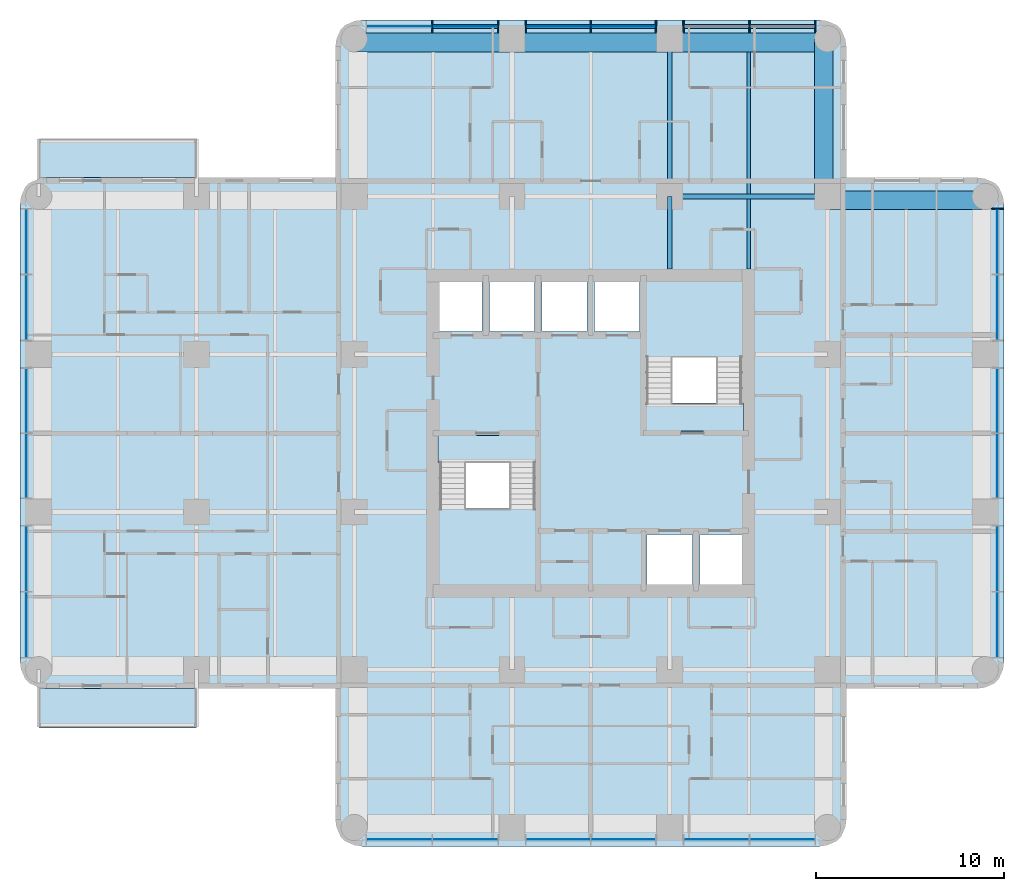
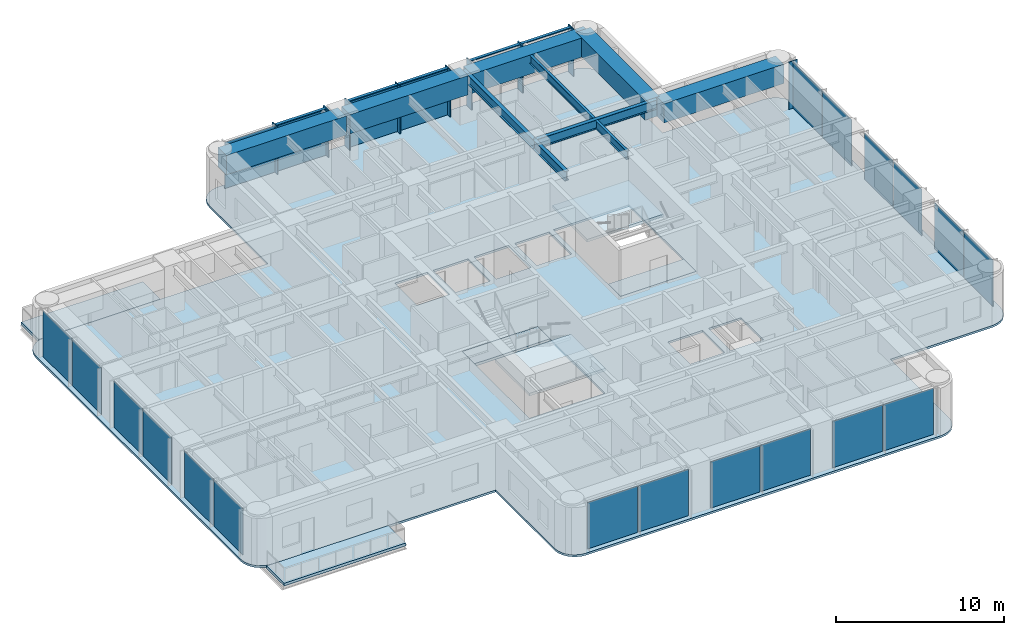
# One storey, part 3 of 12: 22 plates, 14 members, 10 beams, 7 slabs, 6 elements without a shape of their own.
"""IFC4 building model written with IfcOpenShell, lengths in metres."""

from ifc_helpers import new_model, si_unit, direction, frame, origin, origin_2d, place, context, subcontext, project, spatial, polyline, rectangle, i_section, outline, extrude, material, layer, layer_set, material_profile, profile_set, type_object, element, aggregate, save


model = new_model("IFC4")

# Units and contexts
model_context = context("Model", 3, precision=1e-05, world=origin(), true_north=direction((0.0, 1.0)))
body_context = subcontext(model_context, "Body", "Model", "MODEL_VIEW")
ifc_project = project(units=[si_unit("LENGTHUNIT", "METRE"), si_unit("AREAUNIT", "SQUARE_METRE"), si_unit("VOLUMEUNIT", "CUBIC_METRE"), si_unit("PLANEANGLEUNIT", "RADIAN"), si_unit("MASSUNIT", "GRAM", prefix="KILO")], contexts=[model_context])

# Site, building, storey
site_placement = place(None, origin())
site = spatial("IfcSite", under=ifc_project, at=site_placement, CompositionType="ELEMENT")
building_placement = place(site_placement, origin())
building = spatial("IfcBuilding", under=site, at=building_placement, Name="Torre Alcanfor", CompositionType="ELEMENT")
storey_placement = place(building_placement, frame((0.0, 0.0, 226.5)))
storey = spatial("IfcBuildingStorey", under=building, at=storey_placement, Name="L59", CompositionType="ELEMENT", Elevation=226.5)

# Curtain wall, member
ifc_material_1 = material(Name="Aluminium and glass", Category="aluminium")
curtain_wall_type = type_object("IfcCurtainWallType", Name="CW-A unitised apartment glazing with vertical FIN", PredefinedType="NOTDEFINED", material=ifc_material_1)
curtain_wall_1_placement = place(storey_placement, origin())
curtain_wall_1 = element("IfcCurtainWall", 1, at=curtain_wall_1_placement, inside=storey, type_object=curtain_wall_type, Name="Curtain wall CW-A L59 8", PredefinedType="NOTDEFINED")
ifc_material_2 = material(Name="Bronze anodised aluminium", Category="aluminium")
ifc_material_profile_1 = material_profile(ifc_material_2, rectangle(XDim=0.60009765625, YDim=0.06494140625, at=origin_2d()), Name="CW-A mullion 65x600")
ifc_profile_set_1 = profile_set([ifc_material_profile_1], Name="Bronze anodised aluminium")
member_type_1 = type_object("IfcMemberType", Name="CW-A mullion with vertical FIN 65x600", PredefinedType="MULLION", material=ifc_profile_set_1)
member_1_placement = place(storey_placement, frame((51.050048828125, 41.35546875, 0.0), z_axis=(0.0, 0.0, 1.0), x_axis=(-1.0, 0.0, 0.0)))
member_1 = element("IfcMember", 2, at=member_1_placement, type_object=member_type_1, Name="CW-A mullion 3.3", PredefinedType="MULLION", context=body_context, shape_type="SweptSolid", body=[
    extrude(rectangle(XDim=0.60009765625, YDim=0.06494140625, at=origin_2d()), origin(), (0.0, 0.0, 1.0), 3.449951171875),
])

# Curtain wall, members
curtain_wall_2_placement = place(storey_placement, origin())
curtain_wall_2 = element("IfcCurtainWall", 3, at=curtain_wall_2_placement, inside=storey, type_object=curtain_wall_type, Name="Curtain wall CW-A L59 11", PredefinedType="NOTDEFINED")
member_2_placement = place(storey_placement, frame((41.35546875, 51.050048828125, 0.0), z_axis=(0.0, 0.0, 1.0), x_axis=(0.0, -1.0, 0.0)))
member_2 = element("IfcMember", 4, at=member_2_placement, type_object=member_type_1, Name="CW-A mullion 1.1", PredefinedType="MULLION", context=body_context, shape_type="SweptSolid", body=[
    extrude(rectangle(XDim=0.60009765625, YDim=0.06494140625, at=origin_2d()), origin(), (0.0, 0.0, 1.0), 3.449951171875),
])
member_3_placement = place(storey_placement, frame((37.846435546875, 51.050048828125, 0.0), z_axis=(0.0, 0.0, 1.0), x_axis=(0.0, -1.0, 0.0)))
member_3 = element("IfcMember", 5, at=member_3_placement, type_object=member_type_1, Name="CW-A mullion 1.2", PredefinedType="MULLION", context=body_context, shape_type="SweptSolid", body=[
    extrude(rectangle(XDim=0.60009765625, YDim=0.06494140625, at=origin_2d()), origin(), (0.0, 0.0, 1.0), 3.449951171875),
])
member_4_placement = place(storey_placement, frame((34.33740234375, 51.050048828125, 0.0), z_axis=(0.0, 0.0, 1.0), x_axis=(0.0, -1.0, 0.0)))
member_4 = element("IfcMember", 6, at=member_4_placement, type_object=member_type_1, Name="CW-A mullion 1.3", PredefinedType="MULLION", context=body_context, shape_type="SweptSolid", body=[
    extrude(rectangle(XDim=0.60009765625, YDim=0.06494140625, at=origin_2d()), origin(), (0.0, 0.0, 1.0), 3.449951171875),
])
member_5_placement = place(storey_placement, frame((32.862548828125, 51.050048828125, 0.0), z_axis=(0.0, 0.0, 1.0), x_axis=(0.0, -1.0, 0.0)))
member_5 = element("IfcMember", 7, at=member_5_placement, type_object=member_type_1, Name="CW-A mullion 2.1", PredefinedType="MULLION", context=body_context, shape_type="SweptSolid", body=[
    extrude(rectangle(XDim=0.60009765625, YDim=0.06494140625, at=origin_2d()), origin(), (0.0, 0.0, 1.0), 3.449951171875),
])
member_6_placement = place(storey_placement, frame((29.39990234375, 51.050048828125, 0.0), z_axis=(0.0, 0.0, 1.0), x_axis=(0.0, -1.0, 0.0)))
member_6 = element("IfcMember", 8, at=member_6_placement, type_object=member_type_1, Name="CW-A mullion 2.2", PredefinedType="MULLION", context=body_context, shape_type="SweptSolid", body=[
    extrude(rectangle(XDim=0.60009765625, YDim=0.06494140625, at=origin_2d()), origin(), (0.0, 0.0, 1.0), 3.449951171875),
])
member_7_placement = place(storey_placement, frame((25.9375, 51.050048828125, 0.0), z_axis=(0.0, 0.0, 1.0), x_axis=(0.0, -1.0, 0.0)))
member_7 = element("IfcMember", 9, at=member_7_placement, type_object=member_type_1, Name="CW-A mullion 2.3", PredefinedType="MULLION", context=body_context, shape_type="SweptSolid", body=[
    extrude(rectangle(XDim=0.60009765625, YDim=0.06494140625, at=origin_2d()), origin(), (0.0, 0.0, 1.0), 3.449951171875),
])
member_8_placement = place(storey_placement, frame((24.46240234375, 51.050048828125, 0.0), z_axis=(0.0, 0.0, 1.0), x_axis=(0.0, -1.0, 0.0)))
member_8 = element("IfcMember", 10, at=member_8_placement, type_object=member_type_1, Name="CW-A mullion 3.1", PredefinedType="MULLION", context=body_context, shape_type="SweptSolid", body=[
    extrude(rectangle(XDim=0.60009765625, YDim=0.06494140625, at=origin_2d()), origin(), (0.0, 0.0, 1.0), 3.449951171875),
])
member_9_placement = place(storey_placement, frame((20.95361328125, 51.050048828125, 0.0), z_axis=(0.0, 0.0, 1.0), x_axis=(0.0, -1.0, 0.0)))
member_9 = element("IfcMember", 11, at=member_9_placement, type_object=member_type_1, Name="CW-A mullion 3.2", PredefinedType="MULLION", context=body_context, shape_type="SweptSolid", body=[
    extrude(rectangle(XDim=0.60009765625, YDim=0.06494140625, at=origin_2d()), origin(), (0.0, 0.0, 1.0), 3.449951171875),
])
ifc_material_3 = material(Name="Extruded aluminium", Category="aluminium")
ifc_material_profile_2 = material_profile(ifc_material_3, rectangle(XDim=0.199951171875, YDim=0.06494140625, at=origin_2d()), Name="CW-A transom 200x65")
ifc_profile_set_2 = profile_set([ifc_material_profile_2], Name="Extruded aluminium")
member_type_2 = type_object("IfcMemberType", Name="CW-A transom 65x200", PredefinedType="USERDEFINED", material=ifc_profile_set_2)
member_10_placement = place(storey_placement, frame((41.322998046875, 51.050048828125, 3.41748046875), z_axis=(-1.0, 0.0, 0.0), x_axis=(0.0, -1.0, 0.0)))
member_10 = element("IfcMember", 12, at=member_10_placement, type_object=member_type_2, Name="CW-A transom 1.1.2", ObjectType="TRANSOM", PredefinedType="USERDEFINED", context=body_context, shape_type="SweptSolid", body=[
    extrude(rectangle(XDim=0.199951171875, YDim=0.06494140625, at=origin_2d()), origin(), (0.0, 0.0, 1.0), 3.444091796875),
])
member_11_placement = place(storey_placement, frame((37.81396484375, 51.050048828125, 3.41748046875), z_axis=(-1.0, 0.0, 0.0), x_axis=(0.0, -1.0, 0.0)))
member_11 = element("IfcMember", 13, at=member_11_placement, type_object=member_type_2, Name="CW-A transom 1.2.2", ObjectType="TRANSOM", PredefinedType="USERDEFINED", context=body_context, shape_type="SweptSolid", body=[
    extrude(rectangle(XDim=0.199951171875, YDim=0.06494140625, at=origin_2d()), origin(), (0.0, 0.0, 1.0), 3.44384765625),
])
member_12_placement = place(storey_placement, frame((32.830078125, 51.050048828125, 3.41748046875), z_axis=(-1.0, 0.0, 0.0), x_axis=(0.0, -1.0, 0.0)))
member_12 = element("IfcMember", 14, at=member_12_placement, type_object=member_type_2, Name="CW-A transom 2.1.2", ObjectType="TRANSOM", PredefinedType="USERDEFINED", context=body_context, shape_type="SweptSolid", body=[
    extrude(rectangle(XDim=0.199951171875, YDim=0.06494140625, at=origin_2d()), origin(), (0.0, 0.0, 1.0), 3.3974609375),
])
member_13_placement = place(storey_placement, frame((29.367431640625, 51.050048828125, 3.41748046875), z_axis=(-1.0, 0.0, 0.0), x_axis=(0.0, -1.0, 0.0)))
member_13 = element("IfcMember", 15, at=member_13_placement, type_object=member_type_2, Name="CW-A transom 2.2.2", ObjectType="TRANSOM", PredefinedType="USERDEFINED", context=body_context, shape_type="SweptSolid", body=[
    extrude(rectangle(XDim=0.199951171875, YDim=0.06494140625, at=origin_2d()), origin(), (0.0, 0.0, 1.0), 3.3974609375),
])
member_14_placement = place(storey_placement, frame((24.429931640625, 51.050048828125, 3.41748046875), z_axis=(-1.0, 0.0, 0.0), x_axis=(0.0, -1.0, 0.0)))
member_14 = element("IfcMember", 16, at=member_14_placement, type_object=member_type_2, Name="CW-A transom 3.1.2", ObjectType="TRANSOM", PredefinedType="USERDEFINED", context=body_context, shape_type="SweptSolid", body=[
    extrude(rectangle(XDim=0.199951171875, YDim=0.06494140625, at=origin_2d()), origin(), (0.0, 0.0, 1.0), 3.44384765625),
])

# Beams
ifc_material_4 = material(Name="Steel ASTM A992 Grade 50", Category="steel")
ifc_material_profile_3 = material_profile(ifc_material_4, i_section(OverallWidth=0.25390625, OverallDepth=0.683349609375, WebThickness=0.012451171875, FlangeThickness=0.01904296875, at=origin_2d()), Name="W27x94")
ifc_profile_set_3 = profile_set([ifc_material_profile_3], Name="Steel ASTM A992 Grade 50")
beam_type_1 = type_object("IfcBeamType", Name="Girder W27x94", PredefinedType="BEAM", material=ifc_profile_set_3)
for number, where, z_axis, x_axis, name in (
    (17, (33.60009765625, 42.0, 3.1083984375), (1.0, 0.0, 0.0), (0.0, 1.0, 0.0), "Beam 5H-6H under L60"),
    (18, (33.60009765625, 42.0, 3.1083984375), (0.0, 1.0, 0.0), (-1.0, 0.0, 0.0), "Beam 5H-5J under L60"),
):
    element("IfcBeam", number, at=place(storey_placement, frame(where, z_axis=z_axis, x_axis=x_axis)), inside=storey, type_object=beam_type_1, Name=name, PredefinedType="BEAM", context=body_context, shape_type="SweptSolid", body=[
        extrude(i_section(OverallWidth=0.25390625, OverallDepth=0.683349609375, WebThickness=0.012451171875, FlangeThickness=0.01904296875, at=origin_2d()), origin(), (0.0, 0.0, 1.0), 8.39990234375),
    ])
ifc_material_5 = material(Name="Steel ASTM A992 Grade 50", Category="steel")
ifc_material_profile_4 = material_profile(ifc_material_5, i_section(OverallWidth=0.25390625, OverallDepth=0.683349609375, WebThickness=0.012451171875, FlangeThickness=0.01904296875, at=origin_2d()), Name="W27x94")
ifc_profile_set_4 = profile_set([ifc_material_profile_4], Name="Steel ASTM A992 Grade 50")
beam_type_2 = type_object("IfcBeamType", Name="Girder, part bay W27x94", PredefinedType="BEAM", material=ifc_profile_set_4)
beam_1_placement = place(storey_placement, frame((33.60009765625, 42.0, 3.1083984375), z_axis=(0.0, -1.0, 0.0), x_axis=(1.0, 0.0, 0.0)))
element("IfcBeam", 19, at=beam_1_placement, inside=storey, type_object=beam_type_2, Name="Beam 5H-538_15 under L60", PredefinedType="BEAM", context=body_context, shape_type="SweptSolid", body=[
    extrude(i_section(OverallWidth=0.25390625, OverallDepth=0.683349609375, WebThickness=0.012451171875, FlangeThickness=0.01904296875, at=origin_2d()), origin(), (0.0, 0.0, 1.0), 3.85009765625),
])
ifc_material_6 = material(Name="Concrete f'c 70 MPa", Category="concrete")
ifc_material_profile_5 = material_profile(ifc_material_6, rectangle(XDim=1.0, YDim=1.39990234375, at=origin_2d()), Name="1000x1400")
ifc_profile_set_5 = profile_set([ifc_material_profile_5], Name="Concrete f'c 70 MPa")
beam_type_3 = type_object("IfcBeamType", Name="RC perimeter beam 1000x1400", PredefinedType="BEAM", material=ifc_profile_set_5)
for number, where, z_axis, x_axis, name in (
    (20, (42.126953125, 41.800048828125, 2.75), (1.0, 0.0, 0.0), (0.0, 1.0, 0.0), "Beam 6H-7H under L60"),
    (21, (16.800048828125, 50.199951171875, 2.75), (1.0, 0.0, 0.0), (0.0, 1.0, 0.0), "Beam 3J-4J under L60"),
):
    element("IfcBeam", number, at=place(storey_placement, frame(where, z_axis=z_axis, x_axis=x_axis)), inside=storey, type_object=beam_type_3, Name=name, PredefinedType="BEAM", context=body_context, shape_type="SweptSolid", body=[
        extrude(rectangle(XDim=1.0, YDim=1.39990234375, at=origin_2d()), origin(), (0.0, 0.0, 1.0), 8.27294921875),
    ])
beam_2_placement = place(storey_placement, frame((25.326904296875, 50.199951171875, 2.75), z_axis=(1.0, 0.0, 0.0), x_axis=(0.0, 1.0, 0.0)))
element("IfcBeam", 22, at=beam_2_placement, inside=storey, type_object=beam_type_3, Name="Beam 4J-5J under L60", PredefinedType="BEAM", context=body_context, shape_type="SweptSolid", body=[
    extrude(rectangle(XDim=1.0, YDim=1.39990234375, at=origin_2d()), origin(), (0.0, 0.0, 1.0), 8.14599609375),
])
for number, where, z_axis, x_axis, name in (
    (23, (33.72705078125, 50.199951171875, 2.75), (1.0, 0.0, 0.0), (0.0, 1.0, 0.0), "Beam 5J-6J under L60"),
    (24, (41.800048828125, 42.126953125, 2.75), (0.0, 1.0, 0.0), (-1.0, 0.0, 0.0), "Beam 6H-6J under L60"),
):
    element("IfcBeam", number, at=place(storey_placement, frame(where, z_axis=z_axis, x_axis=x_axis)), inside=storey, type_object=beam_type_3, Name=name, PredefinedType="BEAM", context=body_context, shape_type="SweptSolid", body=[
        extrude(rectangle(XDim=1.0, YDim=1.39990234375, at=origin_2d()), origin(), (0.0, 0.0, 1.0), 8.27294921875),
    ])
ifc_material_7 = material(Name="Steel ASTM A992 Grade 50", Category="steel")
ifc_material_profile_6 = material_profile(ifc_material_7, i_section(OverallWidth=0.1787109375, OverallDepth=0.60205078125, WebThickness=0.010986328125, FlangeThickness=0.014892578125, at=origin_2d()), Name="W24x62")
ifc_profile_set_6 = profile_set([ifc_material_profile_6], Name="Steel ASTM A992 Grade 50")
beam_type_4 = type_object("IfcBeamType", Name="Secondary beam W24x62", PredefinedType="BEAM", material=ifc_profile_set_6)
beam_3_placement = place(storey_placement, frame((37.800048828125, 42.126953125, 3.14892578125), z_axis=(0.0, 1.0, 0.0), x_axis=(-1.0, 0.0, 0.0)))
element("IfcBeam", 25, at=beam_3_placement, inside=storey, type_object=beam_type_4, Name="Beam 37_8H-37_8J under L60", PredefinedType="BEAM", context=body_context, shape_type="SweptSolid", body=[
    extrude(i_section(OverallWidth=0.1787109375, OverallDepth=0.60205078125, WebThickness=0.010986328125, FlangeThickness=0.014892578125, at=origin_2d()), origin(), (0.0, 0.0, 1.0), 7.572998046875),
])
ifc_material_8 = material(Name="Steel ASTM A992 Grade 50", Category="steel")
ifc_material_profile_7 = material_profile(ifc_material_8, i_section(OverallWidth=0.1787109375, OverallDepth=0.60205078125, WebThickness=0.010986328125, FlangeThickness=0.014892578125, at=origin_2d()), Name="W24x62")
ifc_profile_set_7 = profile_set([ifc_material_profile_7], Name="Steel ASTM A992 Grade 50")
beam_type_5 = type_object("IfcBeamType", Name="Secondary beam, part bay W24x62", PredefinedType="BEAM", material=ifc_profile_set_7)
beam_4_placement = place(storey_placement, frame((37.800048828125, 38.14990234375, 3.14892578125), z_axis=(0.0, 1.0, 0.0), x_axis=(-1.0, 0.0, 0.0)))
element("IfcBeam", 26, at=beam_4_placement, inside=storey, type_object=beam_type_5, Name="Beam 37_838_15-37_8H under L60", PredefinedType="BEAM", context=body_context, shape_type="SweptSolid", body=[
    extrude(i_section(OverallWidth=0.1787109375, OverallDepth=0.60205078125, WebThickness=0.010986328125, FlangeThickness=0.014892578125, at=origin_2d()), origin(), (0.0, 0.0, 1.0), 3.72314453125),
])

# Slabs
ifc_material_9 = material(Name="Concrete f'c 35 MPa", Category="concrete")
ifc_layer_1 = layer(ifc_material_9, 0.199951171875)
ifc_layer_set_1 = layer_set([ifc_layer_1], Name="Balcony slab 200")
slab_type_1 = type_object("IfcSlabType", Name="Balcony slab 200", PredefinedType="FLOOR", material=ifc_layer_set_1)
slab_1_placement = place(storey_placement, frame((0.0, 0.0, -0.199951171875)))
element("IfcSlab", 27, at=slab_1_placement, inside=storey, type_object=slab_type_1, Name="Balcony L59-W1", PredefinedType="FLOOR", context=body_context, shape_type="SweptSolid", body=[
    extrude(outline(polyline([(8.39990234375, 15.800048828125), (0.0, 15.800048828125), (0.0, 13.699951171875), (8.39990234375, 13.699951171875), (8.39990234375, 15.800048828125)])), origin(), (0.0, 0.0, 1.0), 0.199951171875),
])
slab_2_placement = place(storey_placement, frame((0.0, 0.0, -0.199951171875)))
element("IfcSlab", 28, at=slab_2_placement, inside=storey, type_object=slab_type_1, Name="Balcony L59-W2", PredefinedType="FLOOR", context=body_context, shape_type="SweptSolid", body=[
    extrude(outline(polyline([(8.39990234375, 45.10009765625), (0.0, 45.10009765625), (0.0, 43.0), (8.39990234375, 43.0), (8.39990234375, 45.10009765625)])), origin(), (0.0, 0.0, 1.0), 0.199951171875),
])

# Curtain wall, plates
curtain_wall_3_placement = place(storey_placement, origin())
curtain_wall_3 = element("IfcCurtainWall", 29, at=curtain_wall_3_placement, inside=storey, type_object=curtain_wall_type, Name="Curtain wall CW-A L59 2", PredefinedType="NOTDEFINED")
ifc_material_10 = material(Name="Glass", Category="glass")
ifc_layer_2 = layer(ifc_material_10, 0.028076171875)
ifc_layer_set_2 = layer_set([ifc_layer_2], Name="CW-A clear double glazed unit")
plate_type = type_object("IfcPlateType", Name="CW-A clear double glazed unit", PredefinedType="CURTAIN_PANEL", material=ifc_layer_set_2)
plate_1_placement = place(storey_placement, frame((-0.64990234375, 39.60107421875, 0.0), z_axis=(0.0, 0.0, 1.0), x_axis=(0.0, -1.0, 0.0)))
plate_1 = element("IfcPlate", 30, at=plate_1_placement, type_object=plate_type, Name="CW-A panel 1.1.1", PredefinedType="CURTAIN_PANEL", context=body_context, shape_type="SweptSolid", body=[
    extrude(rectangle(XDim=3.444091796875, YDim=0.028076171875, at=origin_2d()), origin(), (0.0, 0.0, 1.0), 3.385009765625),
])
plate_2_placement = place(storey_placement, frame((-0.64990234375, 36.092041015625, 0.0), z_axis=(0.0, 0.0, 1.0), x_axis=(0.0, -1.0, 0.0)))
plate_2 = element("IfcPlate", 31, at=plate_2_placement, type_object=plate_type, Name="CW-A panel 1.2.1", PredefinedType="CURTAIN_PANEL", context=body_context, shape_type="SweptSolid", body=[
    extrude(rectangle(XDim=3.444091796875, YDim=0.028076171875, at=origin_2d()), origin(), (0.0, 0.0, 1.0), 3.385009765625),
])
plate_3_placement = place(storey_placement, frame((-0.64990234375, 31.13134765625, 0.0), z_axis=(0.0, 0.0, 1.0), x_axis=(0.0, -1.0, 0.0)))
plate_3 = element("IfcPlate", 32, at=plate_3_placement, type_object=plate_type, Name="CW-A panel 2.1.1", PredefinedType="CURTAIN_PANEL", context=body_context, shape_type="SweptSolid", body=[
    extrude(rectangle(XDim=3.3974609375, YDim=0.028076171875, at=origin_2d()), origin(), (0.0, 0.0, 1.0), 3.385009765625),
])
plate_4_placement = place(storey_placement, frame((-0.64990234375, 27.668701171875, 0.0), z_axis=(0.0, 0.0, 1.0), x_axis=(0.0, -1.0, 0.0)))
plate_4 = element("IfcPlate", 33, at=plate_4_placement, type_object=plate_type, Name="CW-A panel 2.2.1", PredefinedType="CURTAIN_PANEL", context=body_context, shape_type="SweptSolid", body=[
    extrude(rectangle(XDim=3.3974609375, YDim=0.028076171875, at=origin_2d()), origin(), (0.0, 0.0, 1.0), 3.385009765625),
])
plate_5_placement = place(storey_placement, frame((-0.64990234375, 22.7080078125, 0.0), z_axis=(0.0, 0.0, 1.0), x_axis=(0.0, -1.0, 0.0)))
plate_5 = element("IfcPlate", 34, at=plate_5_placement, type_object=plate_type, Name="CW-A panel 3.1.1", PredefinedType="CURTAIN_PANEL", context=body_context, shape_type="SweptSolid", body=[
    extrude(rectangle(XDim=3.444091796875, YDim=0.028076171875, at=origin_2d()), origin(), (0.0, 0.0, 1.0), 3.385009765625),
])
plate_6_placement = place(storey_placement, frame((-0.64990234375, 19.198974609375, 0.0), z_axis=(0.0, 0.0, 1.0), x_axis=(0.0, -1.0, 0.0)))
plate_6 = element("IfcPlate", 35, at=plate_6_placement, type_object=plate_type, Name="CW-A panel 3.2.1", PredefinedType="CURTAIN_PANEL", context=body_context, shape_type="SweptSolid", body=[
    extrude(rectangle(XDim=3.444091796875, YDim=0.028076171875, at=origin_2d()), origin(), (0.0, 0.0, 1.0), 3.385009765625),
])
aggregate(curtain_wall_3, [plate_1, plate_2, plate_3, plate_4, plate_5, plate_6])

curtain_wall_4_placement = place(storey_placement, origin())
curtain_wall_4 = element("IfcCurtainWall", 36, at=curtain_wall_4_placement, inside=storey, type_object=curtain_wall_type, Name="Curtain wall CW-A L59 5", PredefinedType="NOTDEFINED")
plate_7_placement = place(storey_placement, frame((19.198974609375, 7.75, 0.0), z_axis=(0.0, 0.0, 1.0), x_axis=(1.0, 0.0, 0.0)))
plate_7 = element("IfcPlate", 37, at=plate_7_placement, type_object=plate_type, Name="CW-A panel 1.1.1", PredefinedType="CURTAIN_PANEL", context=body_context, shape_type="SweptSolid", body=[
    extrude(rectangle(XDim=3.444091796875, YDim=0.028076171875, at=origin_2d()), origin(), (0.0, 0.0, 1.0), 3.385009765625),
])
plate_8_placement = place(storey_placement, frame((22.7080078125, 7.75, 0.0), z_axis=(0.0, 0.0, 1.0), x_axis=(1.0, 0.0, 0.0)))
plate_8 = element("IfcPlate", 38, at=plate_8_placement, type_object=plate_type, Name="CW-A panel 1.2.1", PredefinedType="CURTAIN_PANEL", context=body_context, shape_type="SweptSolid", body=[
    extrude(rectangle(XDim=3.444091796875, YDim=0.028076171875, at=origin_2d()), origin(), (0.0, 0.0, 1.0), 3.385009765625),
])
plate_9_placement = place(storey_placement, frame((27.668701171875, 7.75, 0.0), z_axis=(0.0, 0.0, 1.0), x_axis=(1.0, 0.0, 0.0)))
plate_9 = element("IfcPlate", 39, at=plate_9_placement, type_object=plate_type, Name="CW-A panel 2.1.1", PredefinedType="CURTAIN_PANEL", context=body_context, shape_type="SweptSolid", body=[
    extrude(rectangle(XDim=3.3974609375, YDim=0.028076171875, at=origin_2d()), origin(), (0.0, 0.0, 1.0), 3.385009765625),
])
plate_10_placement = place(storey_placement, frame((31.13134765625, 7.75, 0.0), z_axis=(0.0, 0.0, 1.0), x_axis=(1.0, 0.0, 0.0)))
plate_10 = element("IfcPlate", 40, at=plate_10_placement, type_object=plate_type, Name="CW-A panel 2.2.1", PredefinedType="CURTAIN_PANEL", context=body_context, shape_type="SweptSolid", body=[
    extrude(rectangle(XDim=3.3974609375, YDim=0.028076171875, at=origin_2d()), origin(), (0.0, 0.0, 1.0), 3.385009765625),
])
plate_11_placement = place(storey_placement, frame((36.092041015625, 7.75, 0.0), z_axis=(0.0, 0.0, 1.0), x_axis=(1.0, 0.0, 0.0)))
plate_11 = element("IfcPlate", 41, at=plate_11_placement, type_object=plate_type, Name="CW-A panel 3.1.1", PredefinedType="CURTAIN_PANEL", context=body_context, shape_type="SweptSolid", body=[
    extrude(rectangle(XDim=3.444091796875, YDim=0.028076171875, at=origin_2d()), origin(), (0.0, 0.0, 1.0), 3.385009765625),
])
plate_12_placement = place(storey_placement, frame((39.60107421875, 7.75, 0.0), z_axis=(0.0, 0.0, 1.0), x_axis=(1.0, 0.0, 0.0)))
plate_12 = element("IfcPlate", 42, at=plate_12_placement, type_object=plate_type, Name="CW-A panel 3.2.1", PredefinedType="CURTAIN_PANEL", context=body_context, shape_type="SweptSolid", body=[
    extrude(rectangle(XDim=3.444091796875, YDim=0.028076171875, at=origin_2d()), origin(), (0.0, 0.0, 1.0), 3.385009765625),
])
aggregate(curtain_wall_4, [plate_7, plate_8, plate_9, plate_10, plate_11, plate_12])

# Plate
plate_13_placement = place(storey_placement, frame((51.050048828125, 19.198974609375, 0.0), z_axis=(0.0, 0.0, 1.0), x_axis=(0.0, 1.0, 0.0)))
plate_13 = element("IfcPlate", 43, at=plate_13_placement, type_object=plate_type, Name="CW-A panel 1.1.1", PredefinedType="CURTAIN_PANEL", context=body_context, shape_type="SweptSolid", body=[
    extrude(rectangle(XDim=3.444091796875, YDim=0.028076171875, at=origin_2d()), origin(), (0.0, 0.0, 1.0), 3.385009765625),
])

plate_14_placement = place(storey_placement, frame((51.050048828125, 22.7080078125, 0.0), z_axis=(0.0, 0.0, 1.0), x_axis=(0.0, 1.0, 0.0)))
plate_14 = element("IfcPlate", 44, at=plate_14_placement, type_object=plate_type, Name="CW-A panel 1.2.1", PredefinedType="CURTAIN_PANEL", context=body_context, shape_type="SweptSolid", body=[
    extrude(rectangle(XDim=3.444091796875, YDim=0.028076171875, at=origin_2d()), origin(), (0.0, 0.0, 1.0), 3.385009765625),
])

plate_15_placement = place(storey_placement, frame((51.050048828125, 27.668701171875, 0.0), z_axis=(0.0, 0.0, 1.0), x_axis=(0.0, 1.0, 0.0)))
plate_15 = element("IfcPlate", 45, at=plate_15_placement, type_object=plate_type, Name="CW-A panel 2.1.1", PredefinedType="CURTAIN_PANEL", context=body_context, shape_type="SweptSolid", body=[
    extrude(rectangle(XDim=3.3974609375, YDim=0.028076171875, at=origin_2d()), origin(), (0.0, 0.0, 1.0), 3.385009765625),
])

plate_16_placement = place(storey_placement, frame((51.050048828125, 31.13134765625, 0.0), z_axis=(0.0, 0.0, 1.0), x_axis=(0.0, 1.0, 0.0)))
plate_16 = element("IfcPlate", 46, at=plate_16_placement, type_object=plate_type, Name="CW-A panel 2.2.1", PredefinedType="CURTAIN_PANEL", context=body_context, shape_type="SweptSolid", body=[
    extrude(rectangle(XDim=3.3974609375, YDim=0.028076171875, at=origin_2d()), origin(), (0.0, 0.0, 1.0), 3.385009765625),
])

plate_17_placement = place(storey_placement, frame((51.050048828125, 36.092041015625, 0.0), z_axis=(0.0, 0.0, 1.0), x_axis=(0.0, 1.0, 0.0)))
plate_17 = element("IfcPlate", 47, at=plate_17_placement, type_object=plate_type, Name="CW-A panel 3.1.1", PredefinedType="CURTAIN_PANEL", context=body_context, shape_type="SweptSolid", body=[
    extrude(rectangle(XDim=3.444091796875, YDim=0.028076171875, at=origin_2d()), origin(), (0.0, 0.0, 1.0), 3.385009765625),
])

plate_18_placement = place(storey_placement, frame((51.050048828125, 39.60107421875, 0.0), z_axis=(0.0, 0.0, 1.0), x_axis=(0.0, 1.0, 0.0)))
plate_18 = element("IfcPlate", 48, at=plate_18_placement, type_object=plate_type, Name="CW-A panel 3.2.1", PredefinedType="CURTAIN_PANEL", context=body_context, shape_type="SweptSolid", body=[
    extrude(rectangle(XDim=3.444091796875, YDim=0.028076171875, at=origin_2d()), origin(), (0.0, 0.0, 1.0), 3.385009765625),
])

aggregate(curtain_wall_1, [plate_13, plate_14, plate_15, plate_16, member_1, plate_17, plate_18])

plate_19_placement = place(storey_placement, frame((31.13134765625, 51.050048828125, 0.0), z_axis=(0.0, 0.0, 1.0), x_axis=(-1.0, 0.0, 0.0)))
plate_19 = element("IfcPlate", 49, at=plate_19_placement, type_object=plate_type, Name="CW-A panel 2.1.1", PredefinedType="CURTAIN_PANEL", context=body_context, shape_type="SweptSolid", body=[
    extrude(rectangle(XDim=3.3974609375, YDim=0.028076171875, at=origin_2d()), origin(), (0.0, 0.0, 1.0), 3.385009765625),
])

plate_20_placement = place(storey_placement, frame((27.668701171875, 51.050048828125, 0.0), z_axis=(0.0, 0.0, 1.0), x_axis=(-1.0, 0.0, 0.0)))
plate_20 = element("IfcPlate", 50, at=plate_20_placement, type_object=plate_type, Name="CW-A panel 2.2.1", PredefinedType="CURTAIN_PANEL", context=body_context, shape_type="SweptSolid", body=[
    extrude(rectangle(XDim=3.3974609375, YDim=0.028076171875, at=origin_2d()), origin(), (0.0, 0.0, 1.0), 3.385009765625),
])

plate_21_placement = place(storey_placement, frame((22.7080078125, 51.050048828125, 0.0), z_axis=(0.0, 0.0, 1.0), x_axis=(-1.0, 0.0, 0.0)))
plate_21 = element("IfcPlate", 51, at=plate_21_placement, type_object=plate_type, Name="CW-A panel 3.1.1", PredefinedType="CURTAIN_PANEL", context=body_context, shape_type="SweptSolid", body=[
    extrude(rectangle(XDim=3.444091796875, YDim=0.028076171875, at=origin_2d()), origin(), (0.0, 0.0, 1.0), 3.385009765625),
])

plate_22_placement = place(storey_placement, frame((19.198974609375, 51.050048828125, 0.0), z_axis=(0.0, 0.0, 1.0), x_axis=(-1.0, 0.0, 0.0)))
plate_22 = element("IfcPlate", 52, at=plate_22_placement, type_object=plate_type, Name="CW-A panel 3.2.1", PredefinedType="CURTAIN_PANEL", context=body_context, shape_type="SweptSolid", body=[
    extrude(rectangle(XDim=3.444091796875, YDim=0.028076171875, at=origin_2d()), origin(), (0.0, 0.0, 1.0), 3.385009765625),
])

aggregate(curtain_wall_2, [member_2, member_3, member_4, member_10, member_11, member_5, member_6, member_7, member_12, plate_19, member_13, plate_20, member_8, member_9, member_14, plate_21, plate_22])

# Slab
ifc_material_11 = material(Name="Concrete f'c 35 MPa", Category="concrete")
ifc_layer_3 = layer(ifc_material_11, 0.14990234375)
ifc_layer_set_3 = layer_set([ifc_layer_3], Name="Composite floor 150 on metal deck")
slab_type_2 = type_object("IfcSlabType", Name="Composite floor 150 on metal deck", PredefinedType="FLOOR", material=ifc_layer_set_3)
slab_3_placement = place(storey_placement, frame((0.0, 0.0, -0.14990234375)))
element("IfcSlab", 53, at=slab_3_placement, inside=storey, type_object=slab_type_2, Name="Floor slab L59", PredefinedType="FLOOR", context=body_context, shape_type="SweptSolid", body=[
    extrude(outline(polyline([(15.800048828125, 43.0), (0.39990234375, 43.0), (0.03759765625, 42.952392578125), (-0.300048828125, 42.8125), (-0.58984375, 42.58984375), (-0.8125, 42.300048828125), (-0.952392578125, 41.96240234375), (-1.0, 41.60009765625), (-1.0, 17.199951171875), (-0.952392578125, 16.837646484375), (-0.8125, 16.5), (-0.58984375, 16.210205078125), (-0.300048828125, 15.987548828125), (0.03759765625, 15.84765625), (0.39990234375, 15.800048828125), (15.800048828125, 15.800048828125), (15.800048828125, 8.800048828125), (15.84765625, 8.437744140625), (15.987548828125, 8.10009765625), (16.210205078125, 7.81005859375), (16.5, 7.587646484375), (16.837646484375, 7.44775390625), (17.199951171875, 7.39990234375), (41.60009765625, 7.39990234375), (41.96240234375, 7.44775390625), (42.300048828125, 7.587646484375), (42.58984375, 7.81005859375), (42.8125, 8.10009765625), (42.952392578125, 8.437744140625), (43.0, 8.800048828125), (43.0, 15.800048828125), (50.0, 15.800048828125), (50.3623046875, 15.84765625), (50.699951171875, 15.987548828125), (50.989990234375, 16.210205078125), (51.21240234375, 16.5), (51.352294921875, 16.837646484375), (51.39990234375, 17.199951171875), (51.39990234375, 41.60009765625), (51.352294921875, 41.96240234375), (51.21240234375, 42.300048828125), (50.989990234375, 42.58984375), (50.699951171875, 42.8125), (50.3623046875, 42.952392578125), (50.0, 43.0), (43.0, 43.0), (43.0, 50.0), (42.952392578125, 50.3623046875), (42.8125, 50.699951171875), (42.58984375, 50.989990234375), (42.300048828125, 51.21240234375), (41.96240234375, 51.352294921875), (41.60009765625, 51.39990234375), (17.199951171875, 51.39990234375), (16.837646484375, 51.352294921875), (16.5, 51.21240234375), (16.210205078125, 50.989990234375), (15.987548828125, 50.699951171875), (15.84765625, 50.3623046875), (15.800048828125, 50.0), (15.800048828125, 43.0)]), holes=[polyline([(21.27001953125, 21.27001953125), (26.47998046875, 21.27001953125), (26.47998046875, 29.280029296875), (21.27001953125, 29.280029296875), (21.27001953125, 21.27001953125)]), polyline([(32.320068359375, 29.52001953125), (37.530029296875, 29.52001953125), (37.530029296875, 37.530029296875), (32.320068359375, 37.530029296875), (32.320068359375, 29.52001953125)]), polyline([(32.39990234375, 21.35009765625), (34.800048828125, 21.35009765625), (34.800048828125, 24.0), (32.39990234375, 24.0), (32.39990234375, 21.35009765625)]), polyline([(35.199951171875, 21.35009765625), (37.449951171875, 21.35009765625), (37.449951171875, 24.0), (35.199951171875, 24.0), (35.199951171875, 21.35009765625)]), polyline([(21.35009765625, 34.800048828125), (23.60009765625, 34.800048828125), (23.60009765625, 37.449951171875), (21.35009765625, 37.449951171875), (21.35009765625, 34.800048828125)]), polyline([(24.0, 34.800048828125), (26.39990234375, 34.800048828125), (26.39990234375, 37.449951171875), (24.0, 37.449951171875), (24.0, 34.800048828125)]), polyline([(26.800048828125, 34.800048828125), (29.199951171875, 34.800048828125), (29.199951171875, 37.449951171875), (26.800048828125, 37.449951171875), (26.800048828125, 34.800048828125)]), polyline([(29.60009765625, 34.800048828125), (32.0, 34.800048828125), (32.0, 37.449951171875), (29.60009765625, 37.449951171875), (29.60009765625, 34.800048828125)])]), origin(), (0.0, 0.0, 1.0), 0.14990234375),
])

# Stair, slabs
ifc_material_12 = material(Name="Concrete f'c 35 MPa", Category="concrete")
stair_type_1 = type_object("IfcStairType", Name="Exit stair S1 1400 wide", PredefinedType="HALF_TURN_STAIR", material=ifc_material_12)
stair_1_placement = place(storey_placement, origin())
stair_1 = element("IfcStair", 54, at=stair_1_placement, inside=storey, type_object=stair_type_1, Name="Stair S1 L59 to L60", PredefinedType="HALF_TURN_STAIR")
ifc_material_13 = material(Name="Concrete f'c 35 MPa", Category="concrete")
ifc_layer_4 = layer(ifc_material_13, 0.199951171875)
ifc_layer_set_4 = layer_set([ifc_layer_4], Name="Stair landing 200")
slab_type_3 = type_object("IfcSlabType", Name="Stair landing 200", PredefinedType="LANDING", material=ifc_layer_set_4)
slab_4_placement = place(storey_placement, frame((0.0, 0.0, -0.199951171875)))
slab_4 = element("IfcSlab", 55, at=slab_4_placement, type_object=slab_type_3, Name="S1 landing 1", PredefinedType="LANDING", context=body_context, shape_type="SweptSolid", body=[
    extrude(outline(polyline([(21.27001953125, 27.800048828125), (26.47998046875, 27.800048828125), (26.47998046875, 29.280029296875), (21.27001953125, 29.280029296875), (21.27001953125, 27.800048828125)])), origin(), (0.0, 0.0, 1.0), 0.199951171875),
])
slab_5_placement = place(storey_placement, frame((0.0, 0.0, 1.60009765625)))
slab_5 = element("IfcSlab", 56, at=slab_5_placement, type_object=slab_type_3, Name="S1 landing 2", PredefinedType="LANDING", context=body_context, shape_type="SweptSolid", body=[
    extrude(outline(polyline([(21.27001953125, 21.27001953125), (26.530029296875, 21.27001953125), (26.530029296875, 25.3798828125), (21.27001953125, 25.3798828125), (21.27001953125, 21.27001953125)])), origin(), (0.0, 0.0, 1.0), 0.199951171875),
])
aggregate(stair_1, [slab_4, slab_5])

ifc_material_14 = material(Name="Concrete f'c 35 MPa", Category="concrete")
stair_type_2 = type_object("IfcStairType", Name="Exit stair S2 1400 wide", PredefinedType="HALF_TURN_STAIR", material=ifc_material_14)
stair_2_placement = place(storey_placement, origin())
stair_2 = element("IfcStair", 57, at=stair_2_placement, inside=storey, type_object=stair_type_2, Name="Stair S2 L59 to L60", PredefinedType="HALF_TURN_STAIR")
slab_6_placement = place(storey_placement, frame((0.0, 0.0, -0.199951171875)))
slab_6 = element("IfcSlab", 58, at=slab_6_placement, type_object=slab_type_3, Name="S2 landing 1", PredefinedType="LANDING", context=body_context, shape_type="SweptSolid", body=[
    extrude(outline(polyline([(32.320068359375, 29.52001953125), (37.530029296875, 29.52001953125), (37.530029296875, 31.0), (32.320068359375, 31.0), (32.320068359375, 29.52001953125)])), origin(), (0.0, 0.0, 1.0), 0.199951171875),
])
slab_7_placement = place(storey_placement, frame((0.0, 0.0, 1.60009765625)))
slab_7 = element("IfcSlab", 59, at=slab_7_placement, type_object=slab_type_3, Name="S2 landing 2", PredefinedType="LANDING", context=body_context, shape_type="SweptSolid", body=[
    extrude(outline(polyline([(32.27001953125, 33.419921875), (37.530029296875, 33.419921875), (37.530029296875, 37.530029296875), (32.27001953125, 37.530029296875), (32.27001953125, 33.419921875)])), origin(), (0.0, 0.0, 1.0), 0.199951171875),
])
aggregate(stair_2, [slab_6, slab_7])

save(model, "model.ifc")
